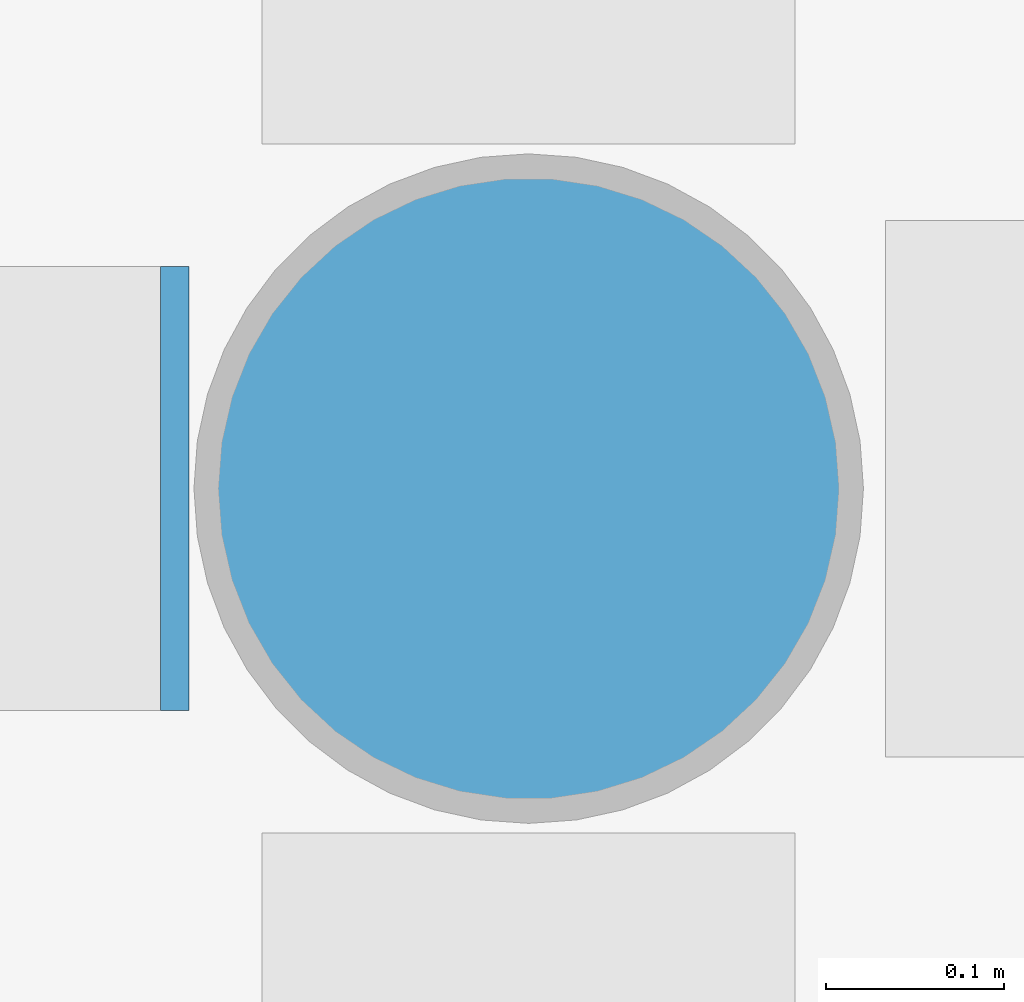
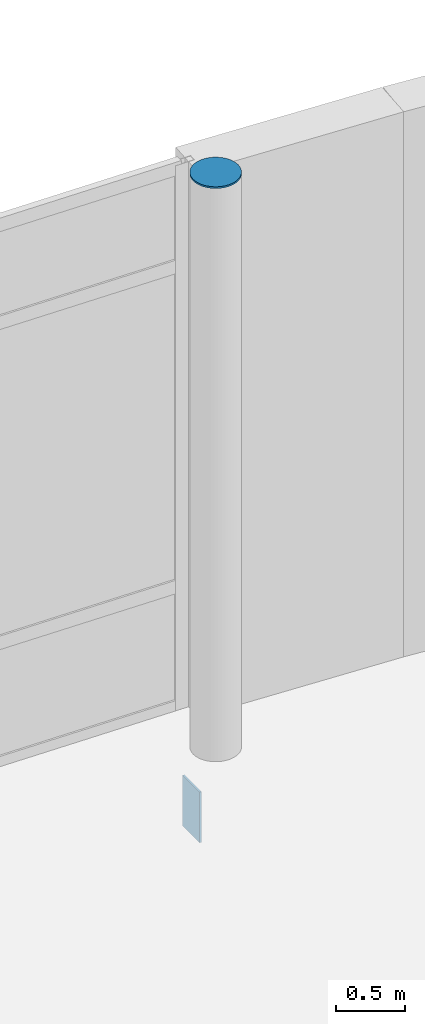
# One storey, part 83 of 103: 2 discrete accessories.
"""IFC4 building model written with IfcOpenShell, lengths in metres."""

from ifc_helpers import new_model, si_unit, direction, frame, origin, origin_2d, place, context, subcontext, project, spatial, rectangle, circle, extrude, material, type_object, element, save


model = new_model("IFC4")

# Units and contexts
model_context = context("Model", 3, precision=1e-05, world=origin(), true_north=direction((0.0, 1.0)))
body_context = subcontext(model_context, "Body", "Model", "MODEL_VIEW")
ifc_project = project(units=[si_unit("LENGTHUNIT", "METRE"), si_unit("AREAUNIT", "SQUARE_METRE"), si_unit("VOLUMEUNIT", "CUBIC_METRE"), si_unit("PLANEANGLEUNIT", "RADIAN"), si_unit("MASSUNIT", "GRAM", prefix="KILO"), si_unit("THERMODYNAMICTEMPERATUREUNIT", "KELVIN")], contexts=[model_context])

# Site, building, storey
site_placement = place(None, origin())
site = spatial("IfcSite", under=ifc_project, at=site_placement, CompositionType="ELEMENT")
building_placement = place(site_placement, origin())
building = spatial("IfcBuilding", under=site, at=building_placement, Name="Lustrewick Department Store", CompositionType="ELEMENT")
storey_placement = place(building_placement, frame((0.0, 0.0, 16.5)))
storey = spatial("IfcBuildingStorey", under=building, at=storey_placement, Name="L04", CompositionType="ELEMENT", Elevation=16.5)

# Discrete accessories
ifc_material = material(Name="Structural steel Q355C", Category="steel")
discrete_accessory_type = type_object("IfcDiscreteAccessoryType", Name="ECP-01", PredefinedType="USERDEFINED", material=ifc_material)
discrete_accessory_1_placement = place(storey_placement, frame((117.392822265625, 106.199951171875, -0.47998046875), z_axis=(1.0, 0.0, 0.0), x_axis=(0.0, 1.0, 0.0)))
element("IfcDiscreteAccessory", 1, at=discrete_accessory_1_placement, inside=storey, type_object=discrete_accessory_type, Name="L04 Welded Hollow-Section End-Cap Plate ECP-01", ObjectType="END_CAP_PLATE", PredefinedType="USERDEFINED", context=body_context, shape_type="SweptSolid", body=[
    extrude(rectangle(XDim=0.25, YDim=0.449951171875, at=origin_2d()), origin(), (0.0, 0.0, 1.0), 0.01611328125),
])
discrete_accessory_2_placement = place(storey_placement, frame((117.60009765625, 106.199951171875, 5.093994140625), z_axis=(0.0, 0.0, 1.0), x_axis=(1.0, 0.0, 0.0)))
element("IfcDiscreteAccessory", 2, at=discrete_accessory_2_placement, inside=storey, type_object=discrete_accessory_type, Name="L04 Welded Hollow-Section End-Cap Plate ECP-01", ObjectType="END_CAP_PLATE", PredefinedType="USERDEFINED", context=body_context, shape_type="SweptSolid", body=[
    extrude(circle(Radius=0.1884765625, at=origin_2d()), origin(), (0.0, 0.0, 1.0), 0.01611328125),
])

save(model, "model.ifc")
